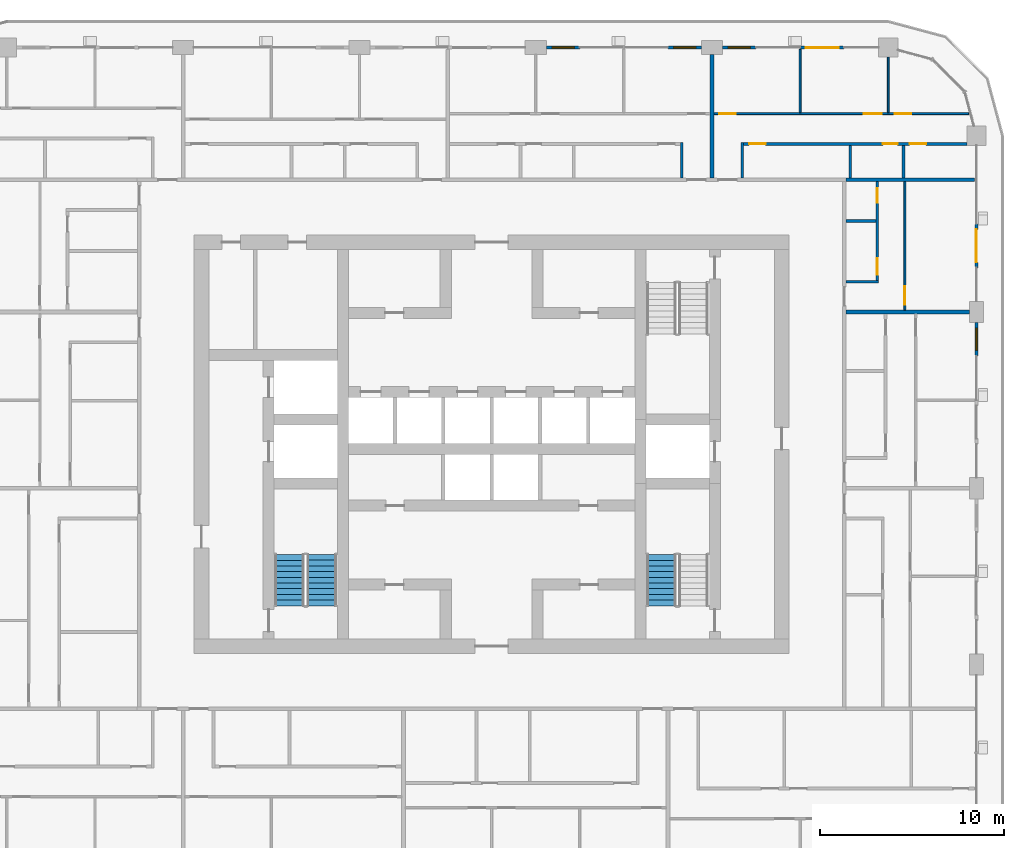
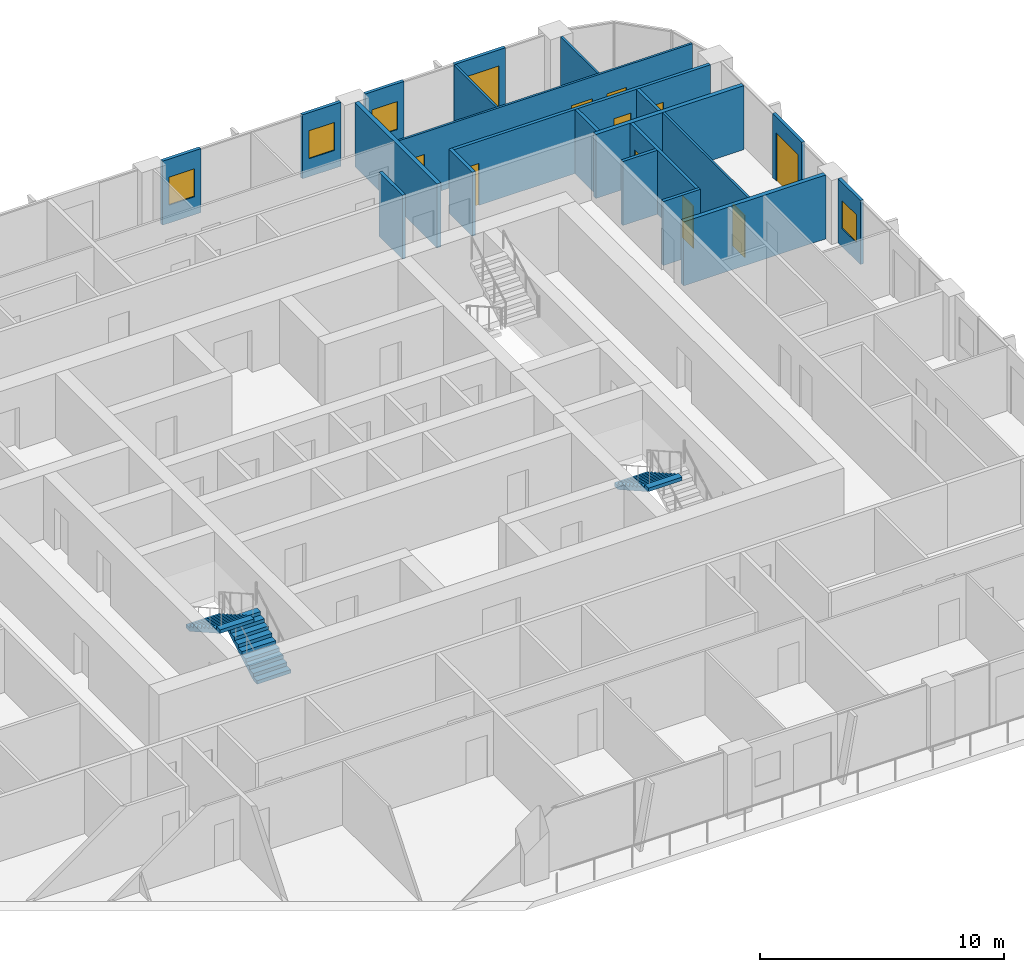
# One storey, part 15 of 22: 21 walls, 11 doors, 4 windows, 3 stair flights, 15 openings, 2 elements without a shape of their own.
"""IFC4 building model written with IfcOpenShell, lengths in metres."""

from ifc_helpers import new_model, si_unit, direction, frame, frame_2d, origin, place, context, subcontext, project, spatial, polyline, rectangle, outline, extrude, material, layer, layer_set, type_object, element, fill, aggregate, save


model = new_model("IFC4")

# Units and contexts
model_context = context("Model", 3, precision=1e-05, world=origin(), true_north=direction((0.0, 1.0)))
body_context = subcontext(model_context, "Body", "Model", "MODEL_VIEW")
ifc_project = project(units=[si_unit("LENGTHUNIT", "METRE"), si_unit("AREAUNIT", "SQUARE_METRE"), si_unit("VOLUMEUNIT", "CUBIC_METRE"), si_unit("PLANEANGLEUNIT", "RADIAN"), si_unit("MASSUNIT", "GRAM", prefix="KILO")], contexts=[model_context])

# Site, building, storey
site_placement = place(None, origin())
site = spatial("IfcSite", under=ifc_project, at=site_placement, CompositionType="ELEMENT")
building_placement = place(site_placement, origin())
building = spatial("IfcBuilding", under=site, at=building_placement, Name="Madar Terraces", CompositionType="ELEMENT")
storey_placement = place(building_placement, frame((0.0, 0.0, 152.5)))
storey = spatial("IfcBuildingStorey", under=building, at=storey_placement, Name="L39", CompositionType="ELEMENT", Elevation=152.5)

# Wall, opening, window
ifc_material_1 = material(Name="Aluminium composite panel, black, over insulated backing", Category="aluminium")
ifc_layer_1 = layer(ifc_material_1, 0.14990234375)
ifc_layer_set_1 = layer_set([ifc_layer_1], Name="Facade bay panel 150")
wall_type_1 = type_object("IfcWallType", Name="Facade bay panel 150", PredefinedType="SOLIDWALL", material=ifc_layer_set_1)
wall_1_placement = place(storey_placement, frame((57.60009765625, 31.199951171875, 0.0), z_axis=(0.0, 0.0, 1.0), x_axis=(0.0, 1.0, 0.0)))
wall_1 = element("IfcWall", 1, at=wall_1_placement, inside=storey, type_object=wall_type_1, Name="Facade bay panel", PredefinedType="SOLIDWALL", context=body_context, shape_type="SweptSolid", body=[
    extrude(rectangle(XDim=1.824951171875, YDim=0.14990234375, at=frame_2d((0.91259765625, 0.0))), origin(), (0.0, 0.0, 1.0), 3.199951171875),
])
opening_1_placement = place(wall_1_placement, frame((0.3125, 0.0, 0.89990234375)))
opening_1 = element("IfcOpeningElement", 2, at=opening_1_placement, cuts=wall_1, Name="Opening W1", PredefinedType="OPENING", context=body_context, shape_type="SweptSolid", body=[
    extrude(rectangle(XDim=1.199951171875, YDim=1.39990234375, at=frame_2d((0.60009765625, 0.699951171875))), frame((0.0, 0.0849609375, 0.0), z_axis=(0.0, -1.0, 0.0), x_axis=(1.0, 0.0, 0.0)), (0.0, 0.0, 1.0), 0.169921875),
])
ifc_material_2 = material(Name="Glass, clear, with black aluminium frame", Category="aluminium")
window_type = type_object("IfcWindowType", Name="Vent window 1200 x 1400", PartitioningType="SINGLE_PANEL", PredefinedType="WINDOW", material=ifc_material_2)
window_1_placement = place(opening_1_placement, origin())
window_1 = element("IfcWindow", 3, at=window_1_placement, inside=storey, type_object=window_type, Name="Operable vent window", OverallHeight=1.39990234375, OverallWidth=1.199951171875, PartitioningType="SINGLE_PANEL", PredefinedType="WINDOW", context=body_context, shape_type="SweptSolid", body=[
    extrude(rectangle(XDim=1.199951171875, YDim=1.39990234375, at=frame_2d((0.60009765625, 0.699951171875))), frame((0.0, 0.030029296875, 0.0), z_axis=(0.0, -1.0, 0.0), x_axis=(1.0, 0.0, 0.0)), (0.0, 0.0, 1.0), 0.06005859375),
])
fill(opening_1, window_1)

# Wall, opening, door
wall_2_placement = place(storey_placement, frame((57.60009765625, 36.0, 0.0), z_axis=(0.0, 0.0, 1.0), x_axis=(0.0, 1.0, 0.0)))
wall_2 = element("IfcWall", 4, at=wall_2_placement, inside=storey, type_object=wall_type_1, Name="Facade bay panel", PredefinedType="SOLIDWALL", context=body_context, shape_type="SweptSolid", body=[
    extrude(rectangle(XDim=2.39990234375, YDim=0.14990234375, at=frame_2d((1.199951171875, 0.0))), origin(), (0.0, 0.0, 1.0), 3.199951171875),
])
opening_2_placement = place(wall_2_placement, frame((0.300048828125, 0.0, 0.0)))
opening_2 = element("IfcOpeningElement", 5, at=opening_2_placement, cuts=wall_2, Name="Opening ED1", PredefinedType="OPENING", context=body_context, shape_type="SweptSolid", body=[
    extrude(rectangle(XDim=1.800048828125, YDim=2.39990234375, at=frame_2d((0.89990234375, 1.199951171875))), frame((0.0, 0.0849609375, 0.0), z_axis=(0.0, -1.0, 0.0), x_axis=(1.0, 0.0, 0.0)), (0.0, 0.0, 1.0), 0.169921875),
])
ifc_material_3 = material(Name="Glass, clear, with black aluminium frame", Category="aluminium")
door_type_1 = type_object("IfcDoorType", Name="Balcony and terrace sliding door 1800 x 2400", OperationType="SLIDING_TO_LEFT", PredefinedType="DOOR", material=ifc_material_3)
door_1_placement = place(opening_2_placement, origin())
door_1 = element("IfcDoor", 6, at=door_1_placement, inside=storey, type_object=door_type_1, Name="Balcony door", OperationType="SLIDING_TO_LEFT", OverallHeight=2.39990234375, OverallWidth=1.800048828125, PredefinedType="DOOR", context=body_context, shape_type="SweptSolid", body=[
    extrude(rectangle(XDim=1.800048828125, YDim=2.39990234375, at=frame_2d((0.89990234375, 1.199951171875))), frame((0.0, 0.02490234375, 0.0), z_axis=(0.0, -1.0, 0.0), x_axis=(1.0, 0.0, 0.0)), (0.0, 0.0, 1.0), 0.050048828125),
])
fill(opening_2, door_1)

wall_3_placement = place(storey_placement, frame((50.39990234375, 48.0, 0.0), z_axis=(0.0, 0.0, 1.0), x_axis=(-1.0, 0.0, 0.0)))
wall_3 = element("IfcWall", 7, at=wall_3_placement, inside=storey, type_object=wall_type_1, Name="Facade bay panel", PredefinedType="SOLIDWALL", context=body_context, shape_type="SweptSolid", body=[
    extrude(rectangle(XDim=2.39990234375, YDim=0.14990234375, at=frame_2d((1.199951171875, 0.0))), origin(), (0.0, 0.0, 1.0), 3.199951171875),
])
opening_3_placement = place(wall_3_placement, frame((0.300048828125, 0.0, 0.0)))
opening_3 = element("IfcOpeningElement", 8, at=opening_3_placement, cuts=wall_3, Name="Opening ED1", PredefinedType="OPENING", context=body_context, shape_type="SweptSolid", body=[
    extrude(rectangle(XDim=1.800048828125, YDim=2.39990234375, at=frame_2d((0.89990234375, 1.199951171875))), frame((0.0, 0.0849609375, 0.0), z_axis=(0.0, -1.0, 0.0), x_axis=(1.0, 0.0, 0.0)), (0.0, 0.0, 1.0), 0.169921875),
])
door_2_placement = place(opening_3_placement, origin())
door_2 = element("IfcDoor", 9, at=door_2_placement, inside=storey, type_object=door_type_1, Name="Balcony door", OperationType="SLIDING_TO_RIGHT", OverallHeight=2.39990234375, OverallWidth=1.800048828125, PredefinedType="DOOR", context=body_context, shape_type="SweptSolid", body=[
    extrude(rectangle(XDim=1.800048828125, YDim=2.39990234375, at=frame_2d((0.89990234375, 1.199951171875))), frame((0.0, 0.02490234375, 0.0), z_axis=(0.0, -1.0, 0.0), x_axis=(1.0, 0.0, 0.0)), (0.0, 0.0, 1.0), 0.050048828125),
])
fill(opening_3, door_2)

# Wall, opening, window
wall_4_placement = place(storey_placement, frame((45.60009765625, 48.0, 0.0), z_axis=(0.0, 0.0, 1.0), x_axis=(-1.0, 0.0, 0.0)))
wall_4 = element("IfcWall", 10, at=wall_4_placement, inside=storey, type_object=wall_type_1, Name="Facade bay panel", PredefinedType="SOLIDWALL", context=body_context, shape_type="SweptSolid", body=[
    extrude(rectangle(XDim=1.8251953125, YDim=0.14990234375, at=frame_2d((0.91259765625, 0.0))), origin(), (0.0, 0.0, 1.0), 3.199951171875),
])
opening_4_placement = place(wall_4_placement, frame((0.3125, 0.0, 0.89990234375)))
opening_4 = element("IfcOpeningElement", 11, at=opening_4_placement, cuts=wall_4, Name="Opening W1", PredefinedType="OPENING", context=body_context, shape_type="SweptSolid", body=[
    extrude(rectangle(XDim=1.199951171875, YDim=1.39990234375, at=frame_2d((0.60009765625, 0.699951171875))), frame((0.0, 0.0849609375, 0.0), z_axis=(0.0, -1.0, 0.0), x_axis=(1.0, 0.0, 0.0)), (0.0, 0.0, 1.0), 0.169921875),
])
window_2_placement = place(opening_4_placement, origin())
window_2 = element("IfcWindow", 12, at=window_2_placement, inside=storey, type_object=window_type, Name="Operable vent window", OverallHeight=1.39990234375, OverallWidth=1.199951171875, PartitioningType="SINGLE_PANEL", PredefinedType="WINDOW", context=body_context, shape_type="SweptSolid", body=[
    extrude(rectangle(XDim=1.199951171875, YDim=1.39990234375, at=frame_2d((0.60009765625, 0.699951171875))), frame((0.0, 0.030029296875, 0.0), z_axis=(0.0, -1.0, 0.0), x_axis=(1.0, 0.0, 0.0)), (0.0, 0.0, 1.0), 0.06005859375),
])
fill(opening_4, window_2)

wall_5_placement = place(storey_placement, frame((42.625, 48.0, 0.0), z_axis=(0.0, 0.0, 1.0), x_axis=(-1.0, 0.0, 0.0)))
wall_5 = element("IfcWall", 13, at=wall_5_placement, inside=storey, type_object=wall_type_1, Name="Facade bay panel", PredefinedType="SOLIDWALL", context=body_context, shape_type="SweptSolid", body=[
    extrude(rectangle(XDim=1.824951171875, YDim=0.14990234375, at=frame_2d((0.91259765625, 0.0))), origin(), (0.0, 0.0, 1.0), 3.199951171875),
])
opening_5_placement = place(wall_5_placement, frame((0.3125, 0.0, 0.89990234375)))
opening_5 = element("IfcOpeningElement", 14, at=opening_5_placement, cuts=wall_5, Name="Opening W1", PredefinedType="OPENING", context=body_context, shape_type="SweptSolid", body=[
    extrude(rectangle(XDim=1.199951171875, YDim=1.39990234375, at=frame_2d((0.60009765625, 0.699951171875))), frame((0.0, 0.0849609375, 0.0), z_axis=(0.0, -1.0, 0.0), x_axis=(1.0, 0.0, 0.0)), (0.0, 0.0, 1.0), 0.169921875),
])
window_3_placement = place(opening_5_placement, origin())
window_3 = element("IfcWindow", 15, at=window_3_placement, inside=storey, type_object=window_type, Name="Operable vent window", OverallHeight=1.39990234375, OverallWidth=1.199951171875, PartitioningType="SINGLE_PANEL", PredefinedType="WINDOW", context=body_context, shape_type="SweptSolid", body=[
    extrude(rectangle(XDim=1.199951171875, YDim=1.39990234375, at=frame_2d((0.60009765625, 0.699951171875))), frame((0.0, 0.030029296875, 0.0), z_axis=(0.0, -1.0, 0.0), x_axis=(1.0, 0.0, 0.0)), (0.0, 0.0, 1.0), 0.06005859375),
])
fill(opening_5, window_3)

wall_6_placement = place(storey_placement, frame((36.0, 48.0, 0.0), z_axis=(0.0, 0.0, 1.0), x_axis=(-1.0, 0.0, 0.0)))
wall_6 = element("IfcWall", 16, at=wall_6_placement, inside=storey, type_object=wall_type_1, Name="Facade bay panel", PredefinedType="SOLIDWALL", context=body_context, shape_type="SweptSolid", body=[
    extrude(rectangle(XDim=1.824951171875, YDim=0.14990234375, at=frame_2d((0.91259765625, 0.0))), origin(), (0.0, 0.0, 1.0), 3.199951171875),
])
opening_6_placement = place(wall_6_placement, frame((0.3125, 0.0, 0.89990234375)))
opening_6 = element("IfcOpeningElement", 17, at=opening_6_placement, cuts=wall_6, Name="Opening W1", PredefinedType="OPENING", context=body_context, shape_type="SweptSolid", body=[
    extrude(rectangle(XDim=1.199951171875, YDim=1.39990234375, at=frame_2d((0.60009765625, 0.699951171875))), frame((0.0, 0.0849609375, 0.0), z_axis=(0.0, -1.0, 0.0), x_axis=(1.0, 0.0, 0.0)), (0.0, 0.0, 1.0), 0.169921875),
])
window_4_placement = place(opening_6_placement, origin())
window_4 = element("IfcWindow", 18, at=window_4_placement, inside=storey, type_object=window_type, Name="Operable vent window", OverallHeight=1.39990234375, OverallWidth=1.199951171875, PartitioningType="SINGLE_PANEL", PredefinedType="WINDOW", context=body_context, shape_type="SweptSolid", body=[
    extrude(rectangle(XDim=1.199951171875, YDim=1.39990234375, at=frame_2d((0.60009765625, 0.699951171875))), frame((0.0, 0.030029296875, 0.0), z_axis=(0.0, -1.0, 0.0), x_axis=(1.0, 0.0, 0.0)), (0.0, 0.0, 1.0), 0.06005859375),
])
fill(opening_6, window_4)

# Wall, opening, door
ifc_material_4 = material(Name="Gypsum board on steel studs", Category="steel")
ifc_layer_2 = layer(ifc_material_4, 0.10009765625)
ifc_layer_set_2 = layer_set([ifc_layer_2], Name="Flat partition 100")
wall_type_2 = type_object("IfcWallType", Name="Flat partition 100", PredefinedType="PARTITIONING", material=ifc_layer_set_2)
wall_7_placement = place(storey_placement, frame((53.699951171875, 40.699951171875, 0.0), z_axis=(0.0, 0.0, 1.0), x_axis=(0.0, -1.0, 0.0)))
wall_7 = element("IfcWall", 19, at=wall_7_placement, inside=storey, type_object=wall_type_2, Name="Flat partition 100", PredefinedType="PARTITIONING", context=body_context, shape_type="SweptSolid", body=[
    extrude(rectangle(XDim=7.0, YDim=0.10009765625, at=frame_2d((3.5, 0.0))), origin(), (0.0, 0.0, 1.0), 3.199951171875),
])
opening_7_placement = place(wall_7_placement, frame((5.699951171875, 0.0, 0.0)))
opening_7 = element("IfcOpeningElement", 20, at=opening_7_placement, cuts=wall_7, Name="Opening D3", PredefinedType="OPENING", context=body_context, shape_type="SweptSolid", body=[
    extrude(rectangle(XDim=1.0, YDim=2.10009765625, at=frame_2d((0.5, 1.050048828125))), frame((0.0, 0.06005859375, 0.0), z_axis=(0.0, -1.0, 0.0), x_axis=(1.0, 0.0, 0.0)), (0.0, 0.0, 1.0), 0.1201171875),
])
ifc_material_5 = material(Name="Timber door leaf", Category="wood")
door_type_2 = type_object("IfcDoorType", Name="Flat living room door 1000", OperationType="NOTDEFINED", PredefinedType="DOOR", material=ifc_material_5)
door_3_placement = place(opening_7_placement, origin())
door_3 = element("IfcDoor", 21, at=door_3_placement, inside=storey, type_object=door_type_2, Name="Flat living room door 1000", OperationType="SINGLE_SWING_RIGHT", OverallHeight=2.10009765625, OverallWidth=1.0, PredefinedType="DOOR", context=body_context, shape_type="SweptSolid", body=[
    extrude(rectangle(XDim=1.0, YDim=2.10009765625, at=frame_2d((0.5, 1.050048828125))), frame((0.0, 0.02490234375, 0.0), z_axis=(0.0, -1.0, 0.0), x_axis=(1.0, 0.0, 0.0)), (0.0, 0.0, 1.0), 0.050048828125),
])
fill(opening_7, door_3)

# Walls
wall_8_placement = place(storey_placement, frame((48.0, 44.449951171875, 0.0), z_axis=(0.0, 0.0, 1.0), x_axis=(0.0, 1.0, 0.0)))
element("IfcWall", 22, at=wall_8_placement, inside=storey, type_object=wall_type_2, Name="Flat partition 100", PredefinedType="PARTITIONING", context=body_context, shape_type="SweptSolid", body=[
    extrude(rectangle(XDim=3.449951171875, YDim=0.10009765625, at=frame_2d((1.72509765625, 0.0))), origin(), (0.0, 0.0, 1.0), 3.199951171875),
])
wall_9_placement = place(storey_placement, frame((52.800048828125, 44.449951171875, 0.0), z_axis=(0.0, 0.0, 1.0), x_axis=(0.0, 1.0, 0.0)))
element("IfcWall", 23, at=wall_9_placement, inside=storey, type_object=wall_type_2, Name="Flat partition 100", PredefinedType="PARTITIONING", context=body_context, shape_type="SweptSolid", body=[
    extrude(rectangle(XDim=3.025146484375, YDim=0.10009765625, at=frame_2d((1.5126953125, 0.0))), origin(), (0.0, 0.0, 1.0), 3.199951171875),
])

# Wall, openings, doors
wall_10_placement = place(storey_placement, frame((43.300048828125, 44.39990234375, 0.0), z_axis=(0.0, 0.0, 1.0), x_axis=(1.0, 0.0, 0.0)))
wall_10 = element("IfcWall", 24, at=wall_10_placement, inside=storey, type_object=wall_type_2, Name="Flat partition 100", PredefinedType="PARTITIONING", context=body_context, shape_type="SweptSolid", body=[
    extrude(rectangle(XDim=13.87841796875, YDim=0.10009765625, at=frame_2d((6.939208984375, 0.0))), origin(), (0.0, 0.0, 1.0), 3.199951171875),
])
opening_8_placement = place(wall_10_placement, frame((0.300048828125, 0.0, 0.0)))
opening_8 = element("IfcOpeningElement", 25, at=opening_8_placement, cuts=wall_10, Name="Opening D2", PredefinedType="OPENING", context=body_context, shape_type="SweptSolid", body=[
    extrude(rectangle(XDim=0.89990234375, YDim=2.10009765625, at=frame_2d((0.449951171875, 1.050048828125))), frame((0.0, 0.06005859375, 0.0), z_axis=(0.0, -1.0, 0.0), x_axis=(1.0, 0.0, 0.0)), (0.0, 0.0, 1.0), 0.1201171875),
])
opening_9_placement = place(wall_10_placement, frame((8.14990234375, 0.0, 0.0)))
opening_9 = element("IfcOpeningElement", 26, at=opening_9_placement, cuts=wall_10, Name="Opening D3", PredefinedType="OPENING", context=body_context, shape_type="SweptSolid", body=[
    extrude(rectangle(XDim=1.0, YDim=2.10009765625, at=frame_2d((0.5, 1.050048828125))), frame((0.0, 0.06005859375, 0.0), z_axis=(0.0, -1.0, 0.0), x_axis=(1.0, 0.0, 0.0)), (0.0, 0.0, 1.0), 0.1201171875),
])
opening_10_placement = place(wall_10_placement, frame((9.85009765625, 0.0, 0.0)))
opening_10 = element("IfcOpeningElement", 27, at=opening_10_placement, cuts=wall_10, Name="Opening D2", PredefinedType="OPENING", context=body_context, shape_type="SweptSolid", body=[
    extrude(rectangle(XDim=0.89990234375, YDim=2.10009765625, at=frame_2d((0.449951171875, 1.050048828125))), frame((0.0, 0.06005859375, 0.0), z_axis=(0.0, -1.0, 0.0), x_axis=(1.0, 0.0, 0.0)), (0.0, 0.0, 1.0), 0.1201171875),
])
door_4_placement = place(opening_9_placement, origin())
door_4 = element("IfcDoor", 28, at=door_4_placement, inside=storey, type_object=door_type_2, Name="Flat living room door 1000", OperationType="SINGLE_SWING_RIGHT", OverallHeight=2.10009765625, OverallWidth=1.0, PredefinedType="DOOR", context=body_context, shape_type="SweptSolid", body=[
    extrude(rectangle(XDim=1.0, YDim=2.10009765625, at=frame_2d((0.5, 1.050048828125))), frame((0.0, 0.02490234375, 0.0), z_axis=(0.0, -1.0, 0.0), x_axis=(1.0, 0.0, 0.0)), (0.0, 0.0, 1.0), 0.050048828125),
])
fill(opening_9, door_4)
ifc_material_6 = material(Name="Timber door leaf", Category="wood")
door_type_3 = type_object("IfcDoorType", Name="Flat room door 900", OperationType="NOTDEFINED", PredefinedType="DOOR", material=ifc_material_6)
door_5_placement = place(opening_8_placement, origin())
door_5 = element("IfcDoor", 29, at=door_5_placement, inside=storey, type_object=door_type_3, Name="Flat room door 900", OperationType="SINGLE_SWING_LEFT", OverallHeight=2.10009765625, OverallWidth=0.89990234375, PredefinedType="DOOR", context=body_context, shape_type="SweptSolid", body=[
    extrude(rectangle(XDim=0.89990234375, YDim=2.10009765625, at=frame_2d((0.449951171875, 1.050048828125))), frame((0.0, 0.02490234375, 0.0), z_axis=(0.0, -1.0, 0.0), x_axis=(1.0, 0.0, 0.0)), (0.0, 0.0, 1.0), 0.050048828125),
])
fill(opening_8, door_5)
door_6_placement = place(opening_10_placement, origin())
door_6 = element("IfcDoor", 30, at=door_6_placement, inside=storey, type_object=door_type_3, Name="Flat room door 900", OperationType="SINGLE_SWING_LEFT", OverallHeight=2.10009765625, OverallWidth=0.89990234375, PredefinedType="DOOR", context=body_context, shape_type="SweptSolid", body=[
    extrude(rectangle(XDim=0.89990234375, YDim=2.10009765625, at=frame_2d((0.449951171875, 1.050048828125))), frame((0.0, 0.02490234375, 0.0), z_axis=(0.0, -1.0, 0.0), x_axis=(1.0, 0.0, 0.0)), (0.0, 0.0, 1.0), 0.050048828125),
])
fill(opening_10, door_6)

# Walls
ifc_material_7 = material(Name="Lightweight blockwork", Category="masonry")
ifc_layer_3 = layer(ifc_material_7, 0.199951171875)
ifc_layer_set_3 = layer_set([ifc_layer_3], Name="Flat party and entrance wall 200")
wall_type_3 = type_object("IfcWallType", Name="Flat party and entrance wall 200", PredefinedType="PARTITIONING", material=ifc_layer_set_3)
wall_11_placement = place(storey_placement, frame((50.5, 33.60009765625, 0.0), z_axis=(0.0, 0.0, 1.0), x_axis=(1.0, 0.0, 0.0)))
element("IfcWall", 31, at=wall_11_placement, inside=storey, type_object=wall_type_3, Name="Flat party and entrance wall 200", PredefinedType="PARTITIONING", context=body_context, shape_type="SweptSolid", body=[
    extrude(rectangle(XDim=6.72509765625, YDim=0.199951171875, at=frame_2d((3.362548828125, 0.0))), origin(), (0.0, 0.0, 1.0), 3.199951171875),
])
wall_12_placement = place(storey_placement, frame((50.5, 40.800048828125, 0.0), z_axis=(0.0, 0.0, 1.0), x_axis=(1.0, 0.0, 0.0)))
element("IfcWall", 32, at=wall_12_placement, inside=storey, type_object=wall_type_3, Name="Flat party and entrance wall 200", PredefinedType="PARTITIONING", context=body_context, shape_type="SweptSolid", body=[
    extrude(rectangle(XDim=7.0, YDim=0.199951171875, at=frame_2d((3.5, 0.0))), origin(), (0.0, 0.0, 1.0), 3.199951171875),
])
wall_13_placement = place(storey_placement, frame((43.199951171875, 47.625, 0.0), z_axis=(0.0, 0.0, 1.0), x_axis=(0.0, -1.0, 0.0)))
element("IfcWall", 33, at=wall_13_placement, inside=storey, type_object=wall_type_3, Name="Flat party and entrance wall 200", PredefinedType="PARTITIONING", context=body_context, shape_type="SweptSolid", body=[
    extrude(rectangle(XDim=6.72509765625, YDim=0.199951171875, at=frame_2d((3.362548828125, 0.0))), origin(), (0.0, 0.0, 1.0), 3.199951171875),
])
ifc_material_8 = material(Name="Lightweight blockwork", Category="masonry")
ifc_layer_4 = layer(ifc_material_8, 0.14990234375)
ifc_layer_set_4 = layer_set([ifc_layer_4], Name="Flat wet-room partition 150")
wall_type_4 = type_object("IfcWallType", Name="Flat wet-room partition 150", PredefinedType="PARTITIONING", material=ifc_layer_set_4)
wall_14_placement = place(storey_placement, frame((50.5, 38.550048828125, 0.0), z_axis=(0.0, 0.0, 1.0), x_axis=(1.0, 0.0, 0.0)))
element("IfcWall", 34, at=wall_14_placement, inside=storey, type_object=wall_type_4, Name="Flat wet-room partition 150", PredefinedType="PARTITIONING", context=body_context, shape_type="SweptSolid", body=[
    extrude(rectangle(XDim=1.625, YDim=0.14990234375, at=frame_2d((0.8125, 0.0))), origin(), (0.0, 0.0, 1.0), 3.199951171875),
])
wall_15_placement = place(storey_placement, frame((50.5, 35.25, 0.0), z_axis=(0.0, 0.0, 1.0), x_axis=(1.0, 0.0, 0.0)))
element("IfcWall", 35, at=wall_15_placement, inside=storey, type_object=wall_type_4, Name="Flat wet-room partition 150", PredefinedType="PARTITIONING", context=body_context, shape_type="SweptSolid", body=[
    extrude(rectangle(XDim=1.77490234375, YDim=0.14990234375, at=frame_2d((0.887451171875, 0.0))), origin(), (0.0, 0.0, 1.0), 3.199951171875),
])

# Wall, openings, doors
wall_16_placement = place(storey_placement, frame((52.199951171875, 35.324951171875, 0.0), z_axis=(0.0, 0.0, 1.0), x_axis=(0.0, 1.0, 0.0)))
wall_16 = element("IfcWall", 36, at=wall_16_placement, inside=storey, type_object=wall_type_4, Name="Flat wet-room partition 150", PredefinedType="PARTITIONING", context=body_context, shape_type="SweptSolid", body=[
    extrude(rectangle(XDim=5.375, YDim=0.14990234375, at=frame_2d((2.6875, 0.0))), origin(), (0.0, 0.0, 1.0), 3.199951171875),
])
opening_11_placement = place(wall_16_placement, frame((0.300048828125, 0.0, 0.0)))
opening_11 = element("IfcOpeningElement", 37, at=opening_11_placement, cuts=wall_16, Name="Opening D2", PredefinedType="OPENING", context=body_context, shape_type="SweptSolid", body=[
    extrude(rectangle(XDim=0.89990234375, YDim=2.10009765625, at=frame_2d((0.449951171875, 1.050048828125))), frame((0.0, 0.0849609375, 0.0), z_axis=(0.0, -1.0, 0.0), x_axis=(1.0, 0.0, 0.0)), (0.0, 0.0, 1.0), 0.169921875),
])
opening_12_placement = place(wall_16_placement, frame((4.22509765625, 0.0, 0.0)))
opening_12 = element("IfcOpeningElement", 38, at=opening_12_placement, cuts=wall_16, Name="Opening D4", PredefinedType="OPENING", context=body_context, shape_type="SweptSolid", body=[
    extrude(rectangle(XDim=0.800048828125, YDim=2.10009765625, at=frame_2d((0.39990234375, 1.050048828125))), frame((0.0, 0.0849609375, 0.0), z_axis=(0.0, -1.0, 0.0), x_axis=(1.0, 0.0, 0.0)), (0.0, 0.0, 1.0), 0.169921875),
])
ifc_material_9 = material(Name="Timber door leaf", Category="wood")
door_type_4 = type_object("IfcDoorType", Name="Flat bathroom door 800", OperationType="NOTDEFINED", PredefinedType="DOOR", material=ifc_material_9)
door_7_placement = place(opening_12_placement, origin())
door_7 = element("IfcDoor", 39, at=door_7_placement, inside=storey, type_object=door_type_4, Name="Flat bathroom door 800", OperationType="SINGLE_SWING_RIGHT", OverallHeight=2.10009765625, OverallWidth=0.800048828125, PredefinedType="DOOR", context=body_context, shape_type="SweptSolid", body=[
    extrude(rectangle(XDim=0.800048828125, YDim=2.10009765625, at=frame_2d((0.39990234375, 1.050048828125))), frame((0.0, 0.02490234375, 0.0), z_axis=(0.0, -1.0, 0.0), x_axis=(1.0, 0.0, 0.0)), (0.0, 0.0, 1.0), 0.050048828125),
])
fill(opening_12, door_7)
door_8_placement = place(opening_11_placement, origin())
door_8 = element("IfcDoor", 40, at=door_8_placement, inside=storey, type_object=door_type_3, Name="Flat room door 900", OperationType="SINGLE_SWING_LEFT", OverallHeight=2.10009765625, OverallWidth=0.89990234375, PredefinedType="DOOR", context=body_context, shape_type="SweptSolid", body=[
    extrude(rectangle(XDim=0.89990234375, YDim=2.10009765625, at=frame_2d((0.449951171875, 1.050048828125))), frame((0.0, 0.02490234375, 0.0), z_axis=(0.0, -1.0, 0.0), x_axis=(1.0, 0.0, 0.0)), (0.0, 0.0, 1.0), 0.050048828125),
])
fill(opening_11, door_8)

# Walls
for number, where, z_axis, x_axis, name in (
    (41, (50.728759765625, 40.89990234375, 0.0), (0.0, 0.0, 1.0), (0.0, 1.0, 0.0), "Flat wet-room partition 150"),
    (42, (53.630615234375, 40.89990234375, 0.0), (0.0, 0.0, 1.0), (0.0, 1.0, 0.0), "Flat wet-room partition 150"),
):
    element("IfcWall", number, at=place(storey_placement, frame(where, z_axis=z_axis, x_axis=x_axis)), inside=storey, type_object=wall_type_4, Name=name, PredefinedType="PARTITIONING", context=body_context, shape_type="SweptSolid", body=[
        extrude(rectangle(XDim=1.775146484375, YDim=0.14990234375, at=frame_2d((0.8876953125, 0.0))), origin(), (0.0, 0.0, 1.0), 3.199951171875),
    ])
wall_17_placement = place(storey_placement, frame((44.85009765625, 40.89990234375, 0.0), z_axis=(0.0, 0.0, 1.0), x_axis=(0.0, 1.0, 0.0)))
element("IfcWall", 43, at=wall_17_placement, inside=storey, type_object=wall_type_4, Name="Flat wet-room partition 150", PredefinedType="PARTITIONING", context=body_context, shape_type="SweptSolid", body=[
    extrude(rectangle(XDim=1.925048828125, YDim=0.14990234375, at=frame_2d((0.96240234375, 0.0))), origin(), (0.0, 0.0, 1.0), 3.199951171875),
])

# Wall, openings, doors
wall_18_placement = place(storey_placement, frame((57.074951171875, 42.75, 0.0), z_axis=(0.0, 0.0, 1.0), x_axis=(-1.0, 0.0, 0.0)))
wall_18 = element("IfcWall", 44, at=wall_18_placement, inside=storey, type_object=wall_type_4, Name="Flat wet-room partition 150", PredefinedType="PARTITIONING", context=body_context, shape_type="SweptSolid", body=[
    extrude(rectangle(XDim=12.14990234375, YDim=0.14990234375, at=frame_2d((6.074951171875, 0.0))), origin(), (0.0, 0.0, 1.0), 3.199951171875),
])
opening_13_placement = place(wall_18_placement, frame((10.949951171875, 0.0, 0.0)))
opening_13 = element("IfcOpeningElement", 45, at=opening_13_placement, cuts=wall_18, Name="Opening D2", PredefinedType="OPENING", context=body_context, shape_type="SweptSolid", body=[
    extrude(rectangle(XDim=0.89990234375, YDim=2.10009765625, at=frame_2d((0.449951171875, 1.050048828125))), frame((0.0, 0.0849609375, 0.0), z_axis=(0.0, -1.0, 0.0), x_axis=(1.0, 0.0, 0.0)), (0.0, 0.0, 1.0), 0.169921875),
])
opening_14_placement = place(wall_18_placement, frame((3.769287109375, 0.0, 0.0)))
opening_14 = element("IfcOpeningElement", 46, at=opening_14_placement, cuts=wall_18, Name="Opening D4", PredefinedType="OPENING", context=body_context, shape_type="SweptSolid", body=[
    extrude(rectangle(XDim=0.800048828125, YDim=2.10009765625, at=frame_2d((0.39990234375, 1.050048828125))), frame((0.0, 0.0849609375, 0.0), z_axis=(0.0, -1.0, 0.0), x_axis=(1.0, 0.0, 0.0)), (0.0, 0.0, 1.0), 0.169921875),
])
opening_15_placement = place(wall_18_placement, frame((2.21923828125, 0.0, 0.0)))
opening_15 = element("IfcOpeningElement", 47, at=opening_15_placement, cuts=wall_18, Name="Opening D5", PredefinedType="OPENING", context=body_context, shape_type="SweptSolid", body=[
    extrude(rectangle(XDim=0.89990234375, YDim=2.10009765625, at=frame_2d((0.449951171875, 1.050048828125))), frame((0.0, 0.0849609375, 0.0), z_axis=(0.0, -1.0, 0.0), x_axis=(1.0, 0.0, 0.0)), (0.0, 0.0, 1.0), 0.169921875),
])
ifc_material_10 = material(Name="Timber door leaf", Category="wood")
door_type_5 = type_object("IfcDoorType", Name="Flat accessible bathroom door 900", OperationType="NOTDEFINED", PredefinedType="DOOR", material=ifc_material_10)
door_9_placement = place(opening_15_placement, origin())
door_9 = element("IfcDoor", 48, at=door_9_placement, inside=storey, type_object=door_type_5, Name="Flat accessible bathroom door 900", OperationType="SINGLE_SWING_RIGHT", OverallHeight=2.10009765625, OverallWidth=0.89990234375, PredefinedType="DOOR", context=body_context, shape_type="SweptSolid", body=[
    extrude(rectangle(XDim=0.89990234375, YDim=2.10009765625, at=frame_2d((0.449951171875, 1.050048828125))), frame((0.0, 0.02490234375, 0.0), z_axis=(0.0, -1.0, 0.0), x_axis=(1.0, 0.0, 0.0)), (0.0, 0.0, 1.0), 0.050048828125),
])
fill(opening_15, door_9)
door_10_placement = place(opening_14_placement, origin())
door_10 = element("IfcDoor", 49, at=door_10_placement, inside=storey, type_object=door_type_4, Name="Flat bathroom door 800", OperationType="SINGLE_SWING_LEFT", OverallHeight=2.10009765625, OverallWidth=0.800048828125, PredefinedType="DOOR", context=body_context, shape_type="SweptSolid", body=[
    extrude(rectangle(XDim=0.800048828125, YDim=2.10009765625, at=frame_2d((0.39990234375, 1.050048828125))), frame((0.0, 0.02490234375, 0.0), z_axis=(0.0, -1.0, 0.0), x_axis=(1.0, 0.0, 0.0)), (0.0, 0.0, 1.0), 0.050048828125),
])
fill(opening_14, door_10)
door_11_placement = place(opening_13_placement, origin())
door_11 = element("IfcDoor", 50, at=door_11_placement, inside=storey, type_object=door_type_3, Name="Flat room door 900", OperationType="SINGLE_SWING_RIGHT", OverallHeight=2.10009765625, OverallWidth=0.89990234375, PredefinedType="DOOR", context=body_context, shape_type="SweptSolid", body=[
    extrude(rectangle(XDim=0.89990234375, YDim=2.10009765625, at=frame_2d((0.449951171875, 1.050048828125))), frame((0.0, 0.02490234375, 0.0), z_axis=(0.0, -1.0, 0.0), x_axis=(1.0, 0.0, 0.0)), (0.0, 0.0, 1.0), 0.050048828125),
])
fill(opening_13, door_11)

# Wall
wall_19_placement = place(storey_placement, frame((41.550048828125, 40.89990234375, 0.0), z_axis=(0.0, 0.0, 1.0), x_axis=(0.0, 1.0, 0.0)))
element("IfcWall", 51, at=wall_19_placement, inside=storey, type_object=wall_type_4, Name="Flat wet-room partition 150", PredefinedType="PARTITIONING", context=body_context, shape_type="SweptSolid", body=[
    extrude(rectangle(XDim=1.925048828125, YDim=0.14990234375, at=frame_2d((0.96240234375, 0.0))), origin(), (0.0, 0.0, 1.0), 3.199951171875),
])

# Stair, stair flights
ifc_material_11 = material(Name="Concrete C50/60", Category="concrete")
stair_type_1 = type_object("IfcStairType", Name="Stair ST1 protected exit", PredefinedType="HALF_TURN_STAIR", material=ifc_material_11)
stair_1_placement = place(storey_placement, origin())
stair_1 = element("IfcStair", 52, at=stair_1_placement, inside=storey, type_object=stair_type_1, Name="L39 Protected Exit Stair ST1", PredefinedType="HALF_TURN_STAIR")
ifc_material_12 = material(Name="Concrete C50/60", Category="concrete")
stair_flight_type_1 = type_object("IfcStairFlightType", Name="Stair flight ST1-F4, 1600 wide, 10 risers", PredefinedType="STRAIGHT", material=ifc_material_12)
stair_flight_1_placement = place(storey_placement, frame((21.949951171875, 17.60009765625, 0.0), z_axis=(0.0, 0.0, 1.0), x_axis=(0.0, 1.0, 0.0)))
stair_flight_1 = element("IfcStairFlight", 53, at=stair_flight_1_placement, type_object=stair_flight_type_1, Name="ST1 flight 1", NumberOfRisers=10, NumberOfTreads=9, PredefinedType="STRAIGHT", RiserHeight=0.175, TreadLength=0.31, context=body_context, shape_type="SweptSolid", body=[
    extrude(outline(polyline([(0.0, 0.0), (0.0, 0.175048828125), (0.31005859375, 0.175048828125), (0.31005859375, 0.35009765625), (0.6201171875, 0.35009765625), (0.6201171875, 0.52490234375), (0.929931640625, 0.52490234375), (0.929931640625, 0.699951171875), (1.239990234375, 0.699951171875), (1.239990234375, 0.875), (1.550048828125, 0.875), (1.550048828125, 1.050048828125), (1.860107421875, 1.050048828125), (1.860107421875, 1.22509765625), (2.169921875, 1.22509765625), (2.169921875, 1.39990234375), (2.47998046875, 1.39990234375), (2.47998046875, 1.574951171875), (2.7900390625, 1.574951171875), (2.7900390625, 1.75), (2.7900390625, 1.40283203125), (0.304931640625, 0.0), (0.0, 0.0)])), frame((0.0, 0.800048828125, 0.0), z_axis=(0.0, -1.0, 0.0), x_axis=(1.0, 0.0, 0.0)), (0.0, 0.0, 1.0), 1.60009765625),
])
stair_flight_2_placement = place(storey_placement, frame((20.199951171875, 20.389892578125, 1.75), z_axis=(0.0, 0.0, 1.0), x_axis=(0.0, -1.0, 0.0)))
stair_flight_2 = element("IfcStairFlight", 54, at=stair_flight_2_placement, type_object=stair_flight_type_1, Name="ST1 flight 2", NumberOfRisers=10, NumberOfTreads=9, PredefinedType="STRAIGHT", RiserHeight=0.175, TreadLength=0.31, context=body_context, shape_type="SweptSolid", body=[
    extrude(outline(polyline([(0.0, 0.0), (0.0, 0.175048828125), (0.31005859375, 0.175048828125), (0.31005859375, 0.35009765625), (0.6201171875, 0.35009765625), (0.6201171875, 0.52490234375), (0.929931640625, 0.52490234375), (0.929931640625, 0.699951171875), (1.239990234375, 0.699951171875), (1.239990234375, 0.875), (1.550048828125, 0.875), (1.550048828125, 1.050048828125), (1.860107421875, 1.050048828125), (1.860107421875, 1.22509765625), (2.169921875, 1.22509765625), (2.169921875, 1.39990234375), (2.47998046875, 1.39990234375), (2.47998046875, 1.574951171875), (2.7900390625, 1.574951171875), (2.7900390625, 1.75), (2.7900390625, 1.40283203125), (0.304931640625, 0.0), (0.0, 0.0)])), frame((0.0, 0.800048828125, 0.0), z_axis=(0.0, -1.0, 0.0), x_axis=(1.0, 0.0, 0.0)), (0.0, 0.0, 1.0), 1.60009765625),
])
aggregate(stair_1, [stair_flight_1, stair_flight_2])

# Stair, stair flight
ifc_material_13 = material(Name="Concrete C50/60", Category="concrete")
stair_type_2 = type_object("IfcStairType", Name="Stair ST3 protected exit", PredefinedType="HALF_TURN_STAIR", material=ifc_material_13)
stair_2_placement = place(storey_placement, origin())
stair_2 = element("IfcStair", 55, at=stair_2_placement, inside=storey, type_object=stair_type_2, Name="L39 Protected Exit Stair ST3", PredefinedType="HALF_TURN_STAIR")
ifc_material_14 = material(Name="Concrete C50/60", Category="concrete")
stair_flight_type_2 = type_object("IfcStairFlightType", Name="Stair flight ST3-F4, 1600 wide, 10 risers", PredefinedType="STRAIGHT", material=ifc_material_14)
stair_flight_3_placement = place(storey_placement, frame((40.449951171875, 20.389892578125, 1.75), z_axis=(0.0, 0.0, 1.0), x_axis=(0.0, -1.0, 0.0)))
stair_flight_3 = element("IfcStairFlight", 56, at=stair_flight_3_placement, type_object=stair_flight_type_2, Name="ST3 flight 2", NumberOfRisers=10, NumberOfTreads=9, PredefinedType="STRAIGHT", RiserHeight=0.175, TreadLength=0.31, context=body_context, shape_type="SweptSolid", body=[
    extrude(outline(polyline([(0.0, 0.0), (0.0, 0.175048828125), (0.31005859375, 0.175048828125), (0.31005859375, 0.35009765625), (0.6201171875, 0.35009765625), (0.6201171875, 0.52490234375), (0.929931640625, 0.52490234375), (0.929931640625, 0.699951171875), (1.239990234375, 0.699951171875), (1.239990234375, 0.875), (1.550048828125, 0.875), (1.550048828125, 1.050048828125), (1.860107421875, 1.050048828125), (1.860107421875, 1.22509765625), (2.169921875, 1.22509765625), (2.169921875, 1.39990234375), (2.47998046875, 1.39990234375), (2.47998046875, 1.574951171875), (2.7900390625, 1.574951171875), (2.7900390625, 1.75), (2.7900390625, 1.40283203125), (0.304931640625, 0.0), (0.0, 0.0)])), frame((0.0, 0.800048828125, 0.0), z_axis=(0.0, -1.0, 0.0), x_axis=(1.0, 0.0, 0.0)), (0.0, 0.0, 1.0), 1.60009765625),
])
aggregate(stair_2, [stair_flight_3])

save(model, "model.ifc")
